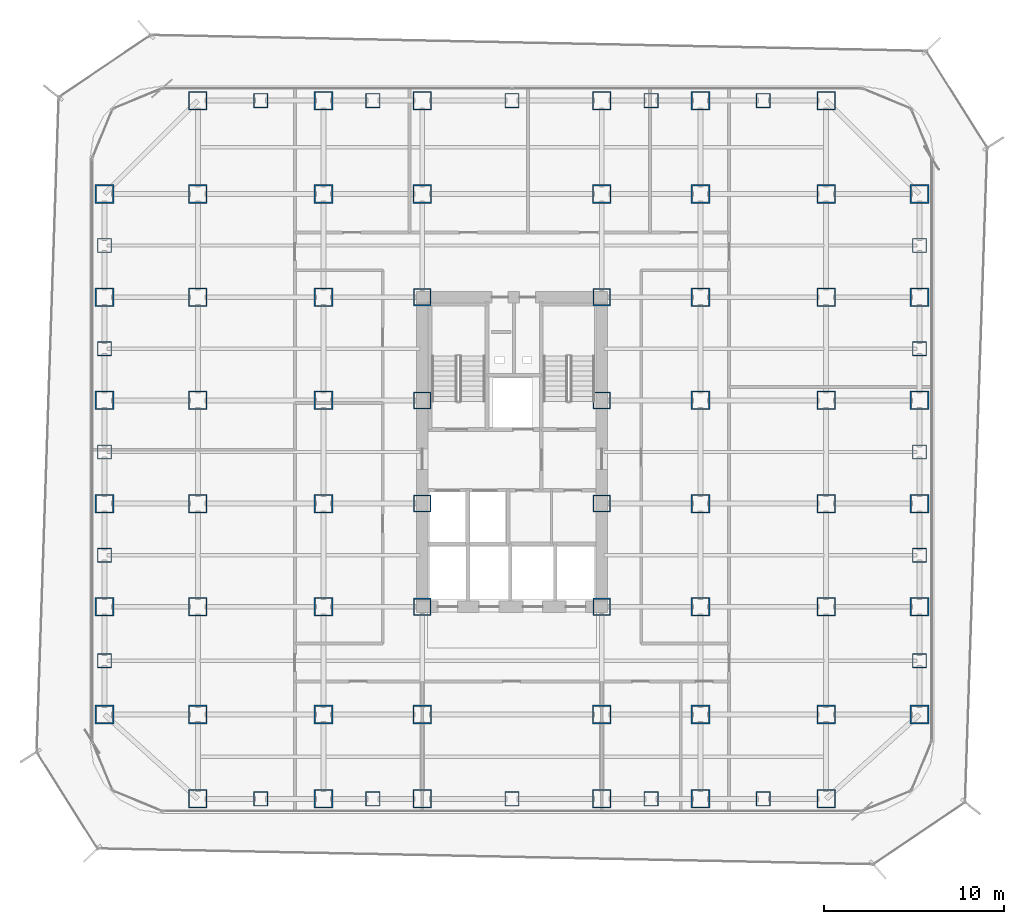
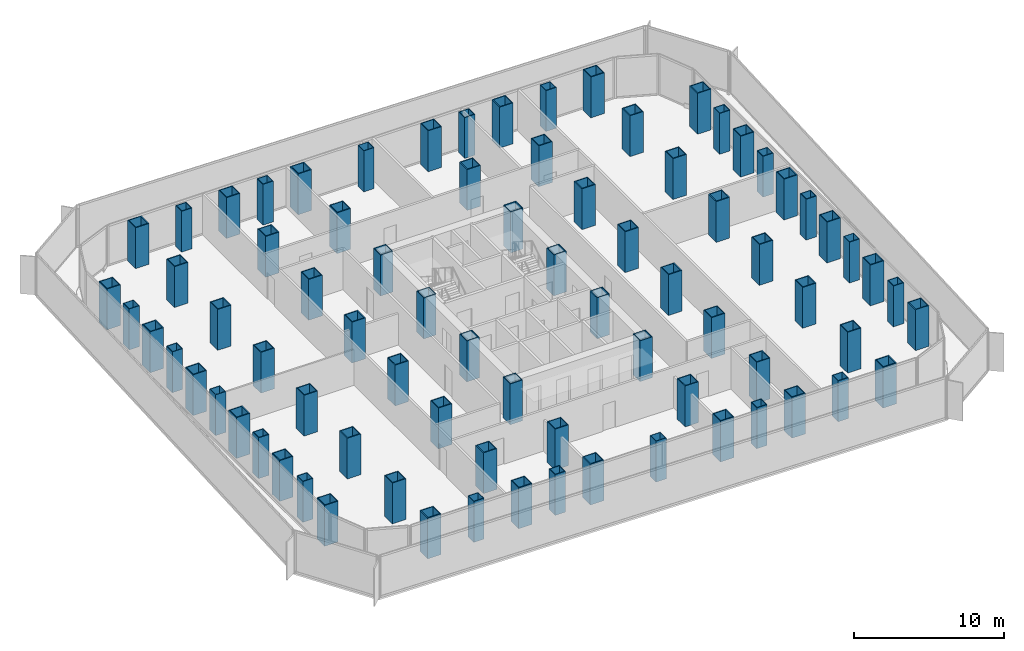
# One storey, part 1 of 21: 80 columns.
"""IFC4 building model written with IfcOpenShell, lengths in metres."""

from ifc_helpers import new_model, si_unit, direction, frame, origin, origin_2d, place, context, subcontext, project, spatial, hollow_rectangle, extrude, source, transform, mapped, material, material_profile, profile_set, type_object, element, save


model = new_model("IFC4")

# Units and contexts
model_context = context("Model", 3, precision=1e-05, world=origin(), true_north=direction((0.0, 1.0)))
body_context = subcontext(model_context, "Body", "Model", "MODEL_VIEW")
ifc_project = project(units=[si_unit("LENGTHUNIT", "METRE"), si_unit("AREAUNIT", "SQUARE_METRE"), si_unit("VOLUMEUNIT", "CUBIC_METRE"), si_unit("PLANEANGLEUNIT", "RADIAN"), si_unit("MASSUNIT", "GRAM", prefix="KILO")], contexts=[model_context])

# Site, building, storey
site_placement = place(None, origin())
site = spatial("IfcSite", under=ifc_project, at=site_placement, CompositionType="ELEMENT")
building_placement = place(site_placement, origin())
building = spatial("IfcBuilding", under=site, at=building_placement, Name="Kolveth Station Tower", CompositionType="ELEMENT")
storey_placement = place(building_placement, frame((0.0, 0.0, 29.699951171875)))
storey = spatial("IfcBuildingStorey", under=building, at=storey_placement, Name="L07", CompositionType="ELEMENT", Elevation=29.699951171875)

# Columns
ifc_material_1 = material(Name="Steel S460", Category="steel")
ifc_material_profile_1 = material_profile(ifc_material_1, hollow_rectangle(XDim=1.0400390625, YDim=1.0400390625, WallThickness=0.06494140625, at=origin_2d()), Name="BOX1040x1040x65")
ifc_profile_set_1 = profile_set([ifc_material_profile_1], Name="Steel S460")
column_type_1 = type_object("IfcColumnType", Name="Col_C2", PredefinedType="COLUMN", material=ifc_profile_set_1)
shared_shape_1 = source(origin(), body_context, "Body", "SweptSolid", [
    extrude(hollow_rectangle(XDim=1.0400390625, YDim=1.0400390625, WallThickness=0.06494140625, at=origin_2d()), origin(), (0.0, 0.0, 1.0), 3.320068359375),
])
for number, where, z_axis, x_axis, name in (
    (1, (6.0, 0.800048828125, 0.0), (0.0, 0.0, 1.0), (1.0, 0.0, 0.0), "L07 Tower Column S-X60"),
    (2, (6.0, 39.699951171875, 0.0), (0.0, 0.0, 1.0), (1.0, 0.0, 0.0), "L07 Tower Column N-X60"),
    (3, (13.0, 0.800048828125, 0.0), (0.0, 0.0, 1.0), (1.0, 0.0, 0.0), "L07 Tower Column S-X130"),
    (4, (13.0, 39.699951171875, 0.0), (0.0, 0.0, 1.0), (1.0, 0.0, 0.0), "L07 Tower Column N-X130"),
    (5, (18.5, 0.800048828125, 0.0), (0.0, 0.0, 1.0), (1.0, 0.0, 0.0), "L07 Tower Column S-X185"),
    (6, (18.5, 39.699951171875, 0.0), (0.0, 0.0, 1.0), (1.0, 0.0, 0.0), "L07 Tower Column N-X185"),
    (7, (28.5, 0.800048828125, 0.0), (0.0, 0.0, 1.0), (1.0, 0.0, 0.0), "L07 Tower Column S-X285"),
    (8, (28.5, 39.699951171875, 0.0), (0.0, 0.0, 1.0), (1.0, 0.0, 0.0), "L07 Tower Column N-X285"),
    (9, (34.0, 0.800048828125, 0.0), (0.0, 0.0, 1.0), (1.0, 0.0, 0.0), "L07 Tower Column S-X340"),
    (10, (34.0, 39.699951171875, 0.0), (0.0, 0.0, 1.0), (1.0, 0.0, 0.0), "L07 Tower Column N-X340"),
    (11, (41.0, 0.800048828125, 0.0), (0.0, 0.0, 1.0), (1.0, 0.0, 0.0), "L07 Tower Column S-X410"),
    (12, (41.0, 39.699951171875, 0.0), (0.0, 0.0, 1.0), (1.0, 0.0, 0.0), "L07 Tower Column N-X410"),
    (13, (0.800048828125, 5.5, 0.0), (0.0, 0.0, 1.0), (1.0, 0.0, 0.0), "L07 Tower Column W-Y55"),
    (14, (46.199951171875, 5.5, 0.0), (0.0, 0.0, 1.0), (1.0, 0.0, 0.0), "L07 Tower Column E-Y55"),
    (15, (0.800048828125, 11.5, 0.0), (0.0, 0.0, 1.0), (1.0, 0.0, 0.0), "L07 Tower Column W-Y115"),
    (16, (46.199951171875, 11.5, 0.0), (0.0, 0.0, 1.0), (1.0, 0.0, 0.0), "L07 Tower Column E-Y115"),
    (17, (0.800048828125, 17.25, 0.0), (0.0, 0.0, 1.0), (1.0, 0.0, 0.0), "L07 Tower Column W-Y172"),
    (18, (46.199951171875, 17.25, 0.0), (0.0, 0.0, 1.0), (1.0, 0.0, 0.0), "L07 Tower Column E-Y172"),
    (19, (0.800048828125, 23.0, 0.0), (0.0, 0.0, 1.0), (1.0, 0.0, 0.0), "L07 Tower Column W-Y230"),
    (20, (46.199951171875, 23.0, 0.0), (0.0, 0.0, 1.0), (1.0, 0.0, 0.0), "L07 Tower Column E-Y230"),
    (21, (0.800048828125, 28.75, 0.0), (0.0, 0.0, 1.0), (1.0, 0.0, 0.0), "L07 Tower Column W-Y287"),
    (22, (46.199951171875, 28.75, 0.0), (0.0, 0.0, 1.0), (1.0, 0.0, 0.0), "L07 Tower Column E-Y287"),
    (23, (0.800048828125, 34.5, 0.0), (0.0, 0.0, 1.0), (1.0, 0.0, 0.0), "L07 Tower Column W-Y345"),
    (24, (46.199951171875, 34.5, 0.0), (0.0, 0.0, 1.0), (1.0, 0.0, 0.0), "L07 Tower Column E-Y345"),
    (25, (6.0, 5.5, 0.0), (0.0, 0.0, 1.0), (1.0, 0.0, 0.0), "L07 Tower Column G-60-55"),
    (26, (6.0, 11.5, 0.0), (0.0, 0.0, 1.0), (1.0, 0.0, 0.0), "L07 Tower Column G-60-115"),
    (27, (6.0, 17.25, 0.0), (0.0, 0.0, 1.0), (1.0, 0.0, 0.0), "L07 Tower Column G-60-172"),
    (28, (6.0, 23.0, 0.0), (0.0, 0.0, 1.0), (1.0, 0.0, 0.0), "L07 Tower Column G-60-230"),
    (29, (6.0, 28.75, 0.0), (0.0, 0.0, 1.0), (1.0, 0.0, 0.0), "L07 Tower Column G-60-287"),
    (30, (6.0, 34.5, 0.0), (0.0, 0.0, 1.0), (1.0, 0.0, 0.0), "L07 Tower Column G-60-345"),
    (31, (13.0, 5.5, 0.0), (0.0, 0.0, 1.0), (1.0, 0.0, 0.0), "L07 Tower Column G-130-55"),
    (32, (13.0, 11.5, 0.0), (0.0, 0.0, 1.0), (1.0, 0.0, 0.0), "L07 Tower Column G-130-115"),
    (33, (13.0, 17.25, 0.0), (0.0, 0.0, 1.0), (1.0, 0.0, 0.0), "L07 Tower Column G-130-172"),
    (34, (13.0, 23.0, 0.0), (0.0, 0.0, 1.0), (1.0, 0.0, 0.0), "L07 Tower Column G-130-230"),
    (35, (13.0, 28.75, 0.0), (0.0, 0.0, 1.0), (1.0, 0.0, 0.0), "L07 Tower Column G-130-287"),
    (36, (13.0, 34.5, 0.0), (0.0, 0.0, 1.0), (1.0, 0.0, 0.0), "L07 Tower Column G-130-345"),
    (37, (18.5, 5.5, 0.0), (0.0, 0.0, 1.0), (1.0, 0.0, 0.0), "L07 Tower Column G-185-55"),
    (38, (18.5, 34.5, 0.0), (0.0, 0.0, 1.0), (1.0, 0.0, 0.0), "L07 Tower Column G-185-345"),
    (39, (28.5, 5.5, 0.0), (0.0, 0.0, 1.0), (1.0, 0.0, 0.0), "L07 Tower Column G-285-55"),
    (40, (28.5, 34.5, 0.0), (0.0, 0.0, 1.0), (1.0, 0.0, 0.0), "L07 Tower Column G-285-345"),
    (41, (34.0, 5.5, 0.0), (0.0, 0.0, 1.0), (1.0, 0.0, 0.0), "L07 Tower Column G-340-55"),
    (42, (34.0, 11.5, 0.0), (0.0, 0.0, 1.0), (1.0, 0.0, 0.0), "L07 Tower Column G-340-115"),
    (43, (34.0, 17.25, 0.0), (0.0, 0.0, 1.0), (1.0, 0.0, 0.0), "L07 Tower Column G-340-172"),
    (44, (34.0, 23.0, 0.0), (0.0, 0.0, 1.0), (1.0, 0.0, 0.0), "L07 Tower Column G-340-230"),
    (45, (34.0, 28.75, 0.0), (0.0, 0.0, 1.0), (1.0, 0.0, 0.0), "L07 Tower Column G-340-287"),
    (46, (34.0, 34.5, 0.0), (0.0, 0.0, 1.0), (1.0, 0.0, 0.0), "L07 Tower Column G-340-345"),
    (47, (41.0, 5.5, 0.0), (0.0, 0.0, 1.0), (1.0, 0.0, 0.0), "L07 Tower Column G-410-55"),
    (48, (41.0, 11.5, 0.0), (0.0, 0.0, 1.0), (1.0, 0.0, 0.0), "L07 Tower Column G-410-115"),
    (49, (41.0, 17.25, 0.0), (0.0, 0.0, 1.0), (1.0, 0.0, 0.0), "L07 Tower Column G-410-172"),
    (50, (41.0, 23.0, 0.0), (0.0, 0.0, 1.0), (1.0, 0.0, 0.0), "L07 Tower Column G-410-230"),
    (51, (41.0, 28.75, 0.0), (0.0, 0.0, 1.0), (1.0, 0.0, 0.0), "L07 Tower Column G-410-287"),
    (52, (41.0, 34.5, 0.0), (0.0, 0.0, 1.0), (1.0, 0.0, 0.0), "L07 Tower Column G-410-345"),
):
    element("IfcColumn", number, at=place(storey_placement, frame(where, z_axis=z_axis, x_axis=x_axis)), inside=storey, type_object=column_type_1, Name=name, PredefinedType="COLUMN", context=body_context, shape_type="MappedRepresentation", body=[
        mapped(shared_shape_1, transform((0.0, 0.0, 0.0), x_axis=(1.0, 0.0, 0.0), y_axis=(0.0, 1.0, 0.0), z_axis=(0.0, 0.0, 1.0), scale=1.0)),
    ])
ifc_material_profile_2 = material_profile(ifc_material_1, hollow_rectangle(XDim=0.9599609375, YDim=0.9599609375, WallThickness=0.06005859375, at=origin_2d()), Name="BOX960x960x60")
ifc_profile_set_2 = profile_set([ifc_material_profile_2], Name="Steel S460")
column_type_2 = type_object("IfcColumnType", Name="Col_C3", PredefinedType="COLUMN", material=ifc_profile_set_2)
shared_shape_2 = source(origin(), body_context, "Body", "SweptSolid", [
    extrude(hollow_rectangle(XDim=0.9599609375, YDim=0.9599609375, WallThickness=0.06005859375, at=origin_2d()), origin(), (0.0, 0.0, 1.0), 3.320068359375),
])
for number, where, z_axis, x_axis, name in (
    (53, (18.5, 11.5, 0.0), (0.0, 0.0, 1.0), (1.0, 0.0, 0.0), "L07 Tower Column G-185-115"),
    (54, (18.5, 17.25, 0.0), (0.0, 0.0, 1.0), (1.0, 0.0, 0.0), "L07 Tower Column G-185-172"),
    (55, (18.5, 23.0, 0.0), (0.0, 0.0, 1.0), (1.0, 0.0, 0.0), "L07 Tower Column G-185-230"),
    (56, (18.5, 28.75, 0.0), (0.0, 0.0, 1.0), (1.0, 0.0, 0.0), "L07 Tower Column G-185-287"),
    (57, (28.5, 11.5, 0.0), (0.0, 0.0, 1.0), (1.0, 0.0, 0.0), "L07 Tower Column G-285-115"),
    (58, (28.5, 17.25, 0.0), (0.0, 0.0, 1.0), (1.0, 0.0, 0.0), "L07 Tower Column G-285-172"),
    (59, (28.5, 23.0, 0.0), (0.0, 0.0, 1.0), (1.0, 0.0, 0.0), "L07 Tower Column G-285-230"),
    (60, (28.5, 28.75, 0.0), (0.0, 0.0, 1.0), (1.0, 0.0, 0.0), "L07 Tower Column G-285-287"),
):
    element("IfcColumn", number, at=place(storey_placement, frame(where, z_axis=z_axis, x_axis=x_axis)), inside=storey, type_object=column_type_2, Name=name, PredefinedType="COLUMN", context=body_context, shape_type="MappedRepresentation", body=[
        mapped(shared_shape_2, transform((0.0, 0.0, 0.0), x_axis=(1.0, 0.0, 0.0), y_axis=(0.0, 1.0, 0.0), z_axis=(0.0, 0.0, 1.0), scale=1.0)),
    ])
ifc_material_2 = material(Name="Steel S355", Category="steel")
ifc_material_profile_3 = material_profile(ifc_material_2, hollow_rectangle(XDim=0.800048828125, YDim=0.800048828125, WallThickness=0.044921875, at=origin_2d()), Name="BOX800x800x45")
ifc_profile_set_3 = profile_set([ifc_material_profile_3], Name="Steel S355")
column_type_3 = type_object("IfcColumnType", Name="Col_C5", PredefinedType="COLUMN", material=ifc_profile_set_3)
shared_shape_3 = source(origin(), body_context, "Body", "SweptSolid", [
    extrude(hollow_rectangle(XDim=0.800048828125, YDim=0.800048828125, WallThickness=0.044921875, at=origin_2d()), origin(), (0.0, 0.0, 1.0), 3.320068359375),
])
for number, where, z_axis, x_axis, name in (
    (61, (9.5, 0.800048828125, 0.0), (0.0, 0.0, 1.0), (1.0, 0.0, 0.0), "L07 Tower Column MS-X95"),
    (62, (9.5, 39.699951171875, 0.0), (0.0, 0.0, 1.0), (1.0, 0.0, 0.0), "L07 Tower Column MN-X95"),
    (63, (15.75, 0.800048828125, 0.0), (0.0, 0.0, 1.0), (1.0, 0.0, 0.0), "L07 Tower Column MS-X157"),
    (64, (15.75, 39.699951171875, 0.0), (0.0, 0.0, 1.0), (1.0, 0.0, 0.0), "L07 Tower Column MN-X157"),
    (65, (23.5, 0.800048828125, 0.0), (0.0, 0.0, 1.0), (1.0, 0.0, 0.0), "L07 Tower Column MS-X235"),
    (66, (23.5, 39.699951171875, 0.0), (0.0, 0.0, 1.0), (1.0, 0.0, 0.0), "L07 Tower Column MN-X235"),
    (67, (31.25, 0.800048828125, 0.0), (0.0, 0.0, 1.0), (1.0, 0.0, 0.0), "L07 Tower Column MS-X312"),
    (68, (31.25, 39.699951171875, 0.0), (0.0, 0.0, 1.0), (1.0, 0.0, 0.0), "L07 Tower Column MN-X312"),
    (69, (37.5, 0.800048828125, 0.0), (0.0, 0.0, 1.0), (1.0, 0.0, 0.0), "L07 Tower Column MS-X375"),
    (70, (37.5, 39.699951171875, 0.0), (0.0, 0.0, 1.0), (1.0, 0.0, 0.0), "L07 Tower Column MN-X375"),
    (71, (0.800048828125, 8.5, 0.0), (0.0, 0.0, 1.0), (1.0, 0.0, 0.0), "L07 Tower Column MW-Y85"),
    (72, (46.199951171875, 8.5, 0.0), (0.0, 0.0, 1.0), (1.0, 0.0, 0.0), "L07 Tower Column ME-Y85"),
    (73, (0.800048828125, 14.375, 0.0), (0.0, 0.0, 1.0), (1.0, 0.0, 0.0), "L07 Tower Column MW-Y143"),
    (74, (46.199951171875, 14.375, 0.0), (0.0, 0.0, 1.0), (1.0, 0.0, 0.0), "L07 Tower Column ME-Y143"),
    (75, (0.800048828125, 20.125, 0.0), (0.0, 0.0, 1.0), (1.0, 0.0, 0.0), "L07 Tower Column MW-Y201"),
    (76, (46.199951171875, 20.125, 0.0), (0.0, 0.0, 1.0), (1.0, 0.0, 0.0), "L07 Tower Column ME-Y201"),
    (77, (0.800048828125, 25.875, 0.0), (0.0, 0.0, 1.0), (1.0, 0.0, 0.0), "L07 Tower Column MW-Y258"),
    (78, (46.199951171875, 25.875, 0.0), (0.0, 0.0, 1.0), (1.0, 0.0, 0.0), "L07 Tower Column ME-Y258"),
    (79, (0.800048828125, 31.625, 0.0), (0.0, 0.0, 1.0), (1.0, 0.0, 0.0), "L07 Tower Column MW-Y316"),
    (80, (46.199951171875, 31.625, 0.0), (0.0, 0.0, 1.0), (1.0, 0.0, 0.0), "L07 Tower Column ME-Y316"),
):
    element("IfcColumn", number, at=place(storey_placement, frame(where, z_axis=z_axis, x_axis=x_axis)), inside=storey, type_object=column_type_3, Name=name, PredefinedType="COLUMN", context=body_context, shape_type="MappedRepresentation", body=[
        mapped(shared_shape_3, transform((0.0, 0.0, 0.0), x_axis=(1.0, 0.0, 0.0), y_axis=(0.0, 1.0, 0.0), z_axis=(0.0, 0.0, 1.0), scale=1.0)),
    ])

save(model, "model.ifc")
